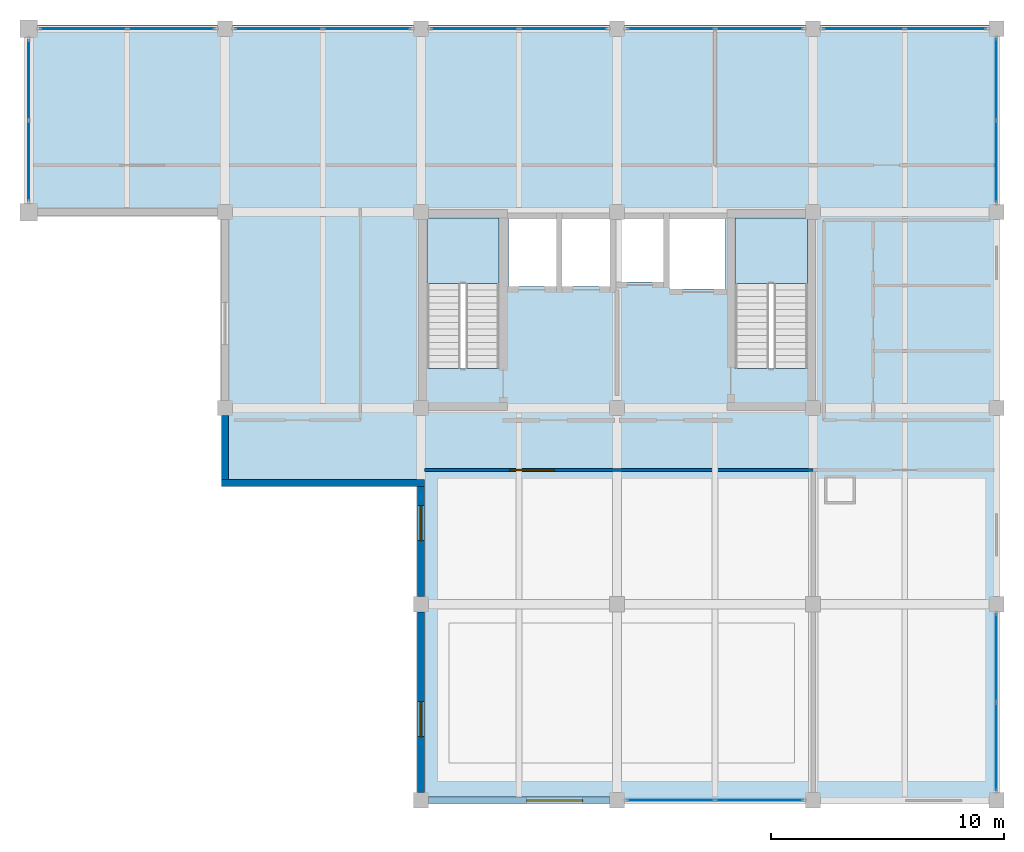
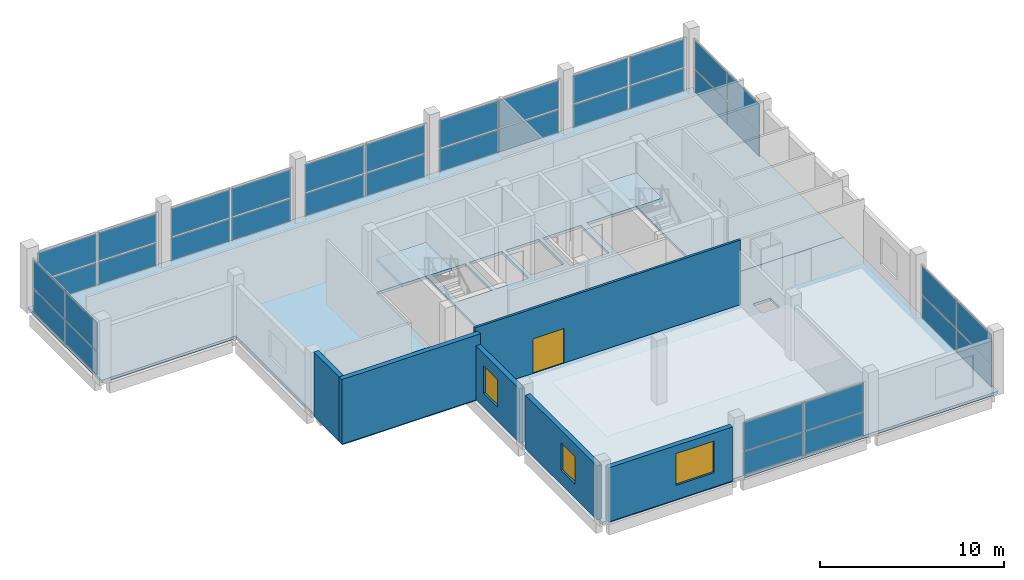
# One storey, part 6 of 9: 36 plates, 6 walls, 4 slabs, 3 windows, 1 door, 4 openings, 11 elements without a shape of their own.
"""IFC4 building model written with IfcOpenShell, lengths in metres."""

from ifc_helpers import new_model, si_unit, direction, frame, frame_2d, origin, origin_2d, place, context, subcontext, project, spatial, polyline, rectangle, outline, extrude, material, layer, layer_set, type_object, element, fill, aggregate, save


model = new_model("IFC4")

# Units and contexts
model_context = context("Model", 3, precision=1e-05, world=origin(), true_north=direction((0.0, 1.0)))
body_context = subcontext(model_context, "Body", "Model", "MODEL_VIEW")
ifc_project = project(units=[si_unit("LENGTHUNIT", "METRE"), si_unit("AREAUNIT", "SQUARE_METRE"), si_unit("VOLUMEUNIT", "CUBIC_METRE"), si_unit("PLANEANGLEUNIT", "RADIAN"), si_unit("MASSUNIT", "GRAM", prefix="KILO")], contexts=[model_context])

# Site, building, storey
site_placement = place(None, origin())
site = spatial("IfcSite", under=ifc_project, at=site_placement, CompositionType="ELEMENT")
building_placement = place(site_placement, origin())
building = spatial("IfcBuilding", under=site, at=building_placement, Name="Brinegate Botanical Conservatory", CompositionType="ELEMENT")
storey_placement = place(building_placement, frame((0.0, 0.0, 61.199951171875)))
storey = spatial("IfcBuildingStorey", under=building, at=storey_placement, Name="L15", CompositionType="ELEMENT", Elevation=61.199951171875)

# Curtain wall, plates
ifc_material_1 = material(Name="Thermally broken anodised aluminium AW-6063-T6", Category="aluminium")
curtain_wall_type_1 = type_object("IfcCurtainWallType", Name="CW_CW-TW2", PredefinedType="USERDEFINED", material=ifc_material_1)
curtain_wall_1_placement = place(storey_placement, origin())
curtain_wall_1 = element("IfcCurtainWall", 1, at=curtain_wall_1_placement, inside=storey, type_object=curtain_wall_type_1, Name="Sky gallery north curtain wall 1", ObjectType="FACTORY CURTAIN WALL", PredefinedType="USERDEFINED")
ifc_material_2 = material(Name="Double-silver Low-E laminated safety glass", Category="glass")
ifc_layer_1 = layer(ifc_material_2, 0.035888671875, Name="Double-silver Low-E laminated safety glass", Category="glass")
ifc_layer_set_1 = layer_set([ifc_layer_1], Name="Double-silver Low-E laminated safety glass")
plate_type = type_object("IfcPlateType", Name="Plate_PN-36", PredefinedType="CURTAIN_PANEL", material=ifc_layer_set_1)
plate_1_placement = place(storey_placement, frame((124.3388671875, 111.449951171875, 0.074951171875), z_axis=(0.0, 0.0, 1.0), x_axis=(1.0, 0.0, 0.0)))
plate_1 = element("IfcPlate", 2, at=plate_1_placement, type_object=plate_type, Name="CW-TW2 panel 1.1", PredefinedType="CURTAIN_PANEL", context=body_context, shape_type="SweptSolid", body=[
    extrude(rectangle(XDim=3.697509765625, YDim=0.035888671875, at=origin_2d()), origin(), (0.0, 0.0, 1.0), 1.49853515625),
])
plate_2_placement = place(storey_placement, frame((124.3388671875, 111.449951171875, 1.648681640625), z_axis=(0.0, 0.0, 1.0), x_axis=(1.0, 0.0, 0.0)))
plate_2 = element("IfcPlate", 3, at=plate_2_placement, type_object=plate_type, Name="CW-TW2 panel 1.2", PredefinedType="CURTAIN_PANEL", context=body_context, shape_type="SweptSolid", body=[
    extrude(rectangle(XDim=3.697509765625, YDim=0.035888671875, at=origin_2d()), origin(), (0.0, 0.0, 1.0), 1.8564453125),
])
plate_3_placement = place(storey_placement, frame((128.111328125, 111.449951171875, 0.074951171875), z_axis=(0.0, 0.0, 1.0), x_axis=(1.0, 0.0, 0.0)))
plate_3 = element("IfcPlate", 4, at=plate_3_placement, type_object=plate_type, Name="CW-TW2 panel 2.1", PredefinedType="CURTAIN_PANEL", context=body_context, shape_type="SweptSolid", body=[
    extrude(rectangle(XDim=3.697509765625, YDim=0.035888671875, at=origin_2d()), origin(), (0.0, 0.0, 1.0), 1.49853515625),
])
plate_4_placement = place(storey_placement, frame((128.111328125, 111.449951171875, 1.648681640625), z_axis=(0.0, 0.0, 1.0), x_axis=(1.0, 0.0, 0.0)))
plate_4 = element("IfcPlate", 5, at=plate_4_placement, type_object=plate_type, Name="CW-TW2 panel 2.2", PredefinedType="CURTAIN_PANEL", context=body_context, shape_type="SweptSolid", body=[
    extrude(rectangle(XDim=3.697509765625, YDim=0.035888671875, at=origin_2d()), origin(), (0.0, 0.0, 1.0), 1.8564453125),
])
aggregate(curtain_wall_1, [plate_1, plate_2, plate_3, plate_4])

curtain_wall_2_placement = place(storey_placement, origin())
curtain_wall_2 = element("IfcCurtainWall", 6, at=curtain_wall_2_placement, inside=storey, type_object=curtain_wall_type_1, Name="Sky gallery north curtain wall 2", ObjectType="FACTORY CURTAIN WALL", PredefinedType="USERDEFINED")
plate_5_placement = place(storey_placement, frame((132.701171875, 111.449951171875, 0.074951171875), z_axis=(0.0, 0.0, 1.0), x_axis=(1.0, 0.0, 0.0)))
plate_5 = element("IfcPlate", 7, at=plate_5_placement, type_object=plate_type, Name="CW-TW2 panel 1.1", PredefinedType="CURTAIN_PANEL", context=body_context, shape_type="SweptSolid", body=[
    extrude(rectangle(XDim=3.722412109375, YDim=0.035888671875, at=origin_2d()), origin(), (0.0, 0.0, 1.0), 1.49853515625),
])
plate_6_placement = place(storey_placement, frame((132.701171875, 111.449951171875, 1.648681640625), z_axis=(0.0, 0.0, 1.0), x_axis=(1.0, 0.0, 0.0)))
plate_6 = element("IfcPlate", 8, at=plate_6_placement, type_object=plate_type, Name="CW-TW2 panel 1.2", PredefinedType="CURTAIN_PANEL", context=body_context, shape_type="SweptSolid", body=[
    extrude(rectangle(XDim=3.722412109375, YDim=0.035888671875, at=origin_2d()), origin(), (0.0, 0.0, 1.0), 1.8564453125),
])
plate_7_placement = place(storey_placement, frame((136.498779296875, 111.449951171875, 0.074951171875), z_axis=(0.0, 0.0, 1.0), x_axis=(1.0, 0.0, 0.0)))
plate_7 = element("IfcPlate", 9, at=plate_7_placement, type_object=plate_type, Name="CW-TW2 panel 2.1", PredefinedType="CURTAIN_PANEL", context=body_context, shape_type="SweptSolid", body=[
    extrude(rectangle(XDim=3.722412109375, YDim=0.035888671875, at=origin_2d()), origin(), (0.0, 0.0, 1.0), 1.49853515625),
])
plate_8_placement = place(storey_placement, frame((136.498779296875, 111.449951171875, 1.648681640625), z_axis=(0.0, 0.0, 1.0), x_axis=(1.0, 0.0, 0.0)))
plate_8 = element("IfcPlate", 10, at=plate_8_placement, type_object=plate_type, Name="CW-TW2 panel 2.2", PredefinedType="CURTAIN_PANEL", context=body_context, shape_type="SweptSolid", body=[
    extrude(rectangle(XDim=3.722412109375, YDim=0.035888671875, at=origin_2d()), origin(), (0.0, 0.0, 1.0), 1.8564453125),
])
aggregate(curtain_wall_2, [plate_5, plate_6, plate_7, plate_8])

curtain_wall_3_placement = place(storey_placement, origin())
curtain_wall_3 = element("IfcCurtainWall", 11, at=curtain_wall_3_placement, inside=storey, type_object=curtain_wall_type_1, Name="Sky gallery north curtain wall 3", ObjectType="FACTORY CURTAIN WALL", PredefinedType="USERDEFINED")
plate_9_placement = place(storey_placement, frame((141.101318359375, 111.449951171875, 0.074951171875), z_axis=(0.0, 0.0, 1.0), x_axis=(1.0, 0.0, 0.0)))
plate_9 = element("IfcPlate", 12, at=plate_9_placement, type_object=plate_type, Name="CW-TW2 panel 1.1", PredefinedType="CURTAIN_PANEL", context=body_context, shape_type="SweptSolid", body=[
    extrude(rectangle(XDim=3.722412109375, YDim=0.035888671875, at=origin_2d()), origin(), (0.0, 0.0, 1.0), 1.49853515625),
])
plate_10_placement = place(storey_placement, frame((141.101318359375, 111.449951171875, 1.648681640625), z_axis=(0.0, 0.0, 1.0), x_axis=(1.0, 0.0, 0.0)))
plate_10 = element("IfcPlate", 13, at=plate_10_placement, type_object=plate_type, Name="CW-TW2 panel 1.2", PredefinedType="CURTAIN_PANEL", context=body_context, shape_type="SweptSolid", body=[
    extrude(rectangle(XDim=3.722412109375, YDim=0.035888671875, at=origin_2d()), origin(), (0.0, 0.0, 1.0), 1.8564453125),
])
plate_11_placement = place(storey_placement, frame((144.898681640625, 111.449951171875, 0.074951171875), z_axis=(0.0, 0.0, 1.0), x_axis=(1.0, 0.0, 0.0)))
plate_11 = element("IfcPlate", 14, at=plate_11_placement, type_object=plate_type, Name="CW-TW2 panel 2.1", PredefinedType="CURTAIN_PANEL", context=body_context, shape_type="SweptSolid", body=[
    extrude(rectangle(XDim=3.722412109375, YDim=0.035888671875, at=origin_2d()), origin(), (0.0, 0.0, 1.0), 1.49853515625),
])
plate_12_placement = place(storey_placement, frame((144.898681640625, 111.449951171875, 1.648681640625), z_axis=(0.0, 0.0, 1.0), x_axis=(1.0, 0.0, 0.0)))
plate_12 = element("IfcPlate", 15, at=plate_12_placement, type_object=plate_type, Name="CW-TW2 panel 2.2", PredefinedType="CURTAIN_PANEL", context=body_context, shape_type="SweptSolid", body=[
    extrude(rectangle(XDim=3.722412109375, YDim=0.035888671875, at=origin_2d()), origin(), (0.0, 0.0, 1.0), 1.8564453125),
])
aggregate(curtain_wall_3, [plate_9, plate_10, plate_11, plate_12])

curtain_wall_4_placement = place(storey_placement, origin())
curtain_wall_4 = element("IfcCurtainWall", 16, at=curtain_wall_4_placement, inside=storey, type_object=curtain_wall_type_1, Name="Sky gallery north curtain wall 4", ObjectType="FACTORY CURTAIN WALL", PredefinedType="USERDEFINED")
plate_13_placement = place(storey_placement, frame((149.501220703125, 111.449951171875, 0.074951171875), z_axis=(0.0, 0.0, 1.0), x_axis=(1.0, 0.0, 0.0)))
plate_13 = element("IfcPlate", 17, at=plate_13_placement, type_object=plate_type, Name="CW-TW2 panel 1.1", PredefinedType="CURTAIN_PANEL", context=body_context, shape_type="SweptSolid", body=[
    extrude(rectangle(XDim=3.722412109375, YDim=0.035888671875, at=origin_2d()), origin(), (0.0, 0.0, 1.0), 1.49853515625),
])
plate_14_placement = place(storey_placement, frame((149.501220703125, 111.449951171875, 1.648681640625), z_axis=(0.0, 0.0, 1.0), x_axis=(1.0, 0.0, 0.0)))
plate_14 = element("IfcPlate", 18, at=plate_14_placement, type_object=plate_type, Name="CW-TW2 panel 1.2", PredefinedType="CURTAIN_PANEL", context=body_context, shape_type="SweptSolid", body=[
    extrude(rectangle(XDim=3.722412109375, YDim=0.035888671875, at=origin_2d()), origin(), (0.0, 0.0, 1.0), 1.8564453125),
])
plate_15_placement = place(storey_placement, frame((153.298828125, 111.449951171875, 0.074951171875), z_axis=(0.0, 0.0, 1.0), x_axis=(1.0, 0.0, 0.0)))
plate_15 = element("IfcPlate", 19, at=plate_15_placement, type_object=plate_type, Name="CW-TW2 panel 2.1", PredefinedType="CURTAIN_PANEL", context=body_context, shape_type="SweptSolid", body=[
    extrude(rectangle(XDim=3.722412109375, YDim=0.035888671875, at=origin_2d()), origin(), (0.0, 0.0, 1.0), 1.49853515625),
])
plate_16_placement = place(storey_placement, frame((153.298828125, 111.449951171875, 1.648681640625), z_axis=(0.0, 0.0, 1.0), x_axis=(1.0, 0.0, 0.0)))
plate_16 = element("IfcPlate", 20, at=plate_16_placement, type_object=plate_type, Name="CW-TW2 panel 2.2", PredefinedType="CURTAIN_PANEL", context=body_context, shape_type="SweptSolid", body=[
    extrude(rectangle(XDim=3.722412109375, YDim=0.035888671875, at=origin_2d()), origin(), (0.0, 0.0, 1.0), 1.8564453125),
])
aggregate(curtain_wall_4, [plate_13, plate_14, plate_15, plate_16])

curtain_wall_5_placement = place(storey_placement, origin())
curtain_wall_5 = element("IfcCurtainWall", 21, at=curtain_wall_5_placement, inside=storey, type_object=curtain_wall_type_1, Name="Sky gallery north curtain wall 5", ObjectType="FACTORY CURTAIN WALL", PredefinedType="USERDEFINED")
plate_17_placement = place(storey_placement, frame((157.763671875, 111.449951171875, 0.074951171875), z_axis=(0.0, 0.0, 1.0), x_axis=(1.0, 0.0, 0.0)))
plate_17 = element("IfcPlate", 22, at=plate_17_placement, type_object=plate_type, Name="CW-TW2 panel 1.1", PredefinedType="CURTAIN_PANEL", context=body_context, shape_type="SweptSolid", body=[
    extrude(rectangle(XDim=3.447509765625, YDim=0.035888671875, at=origin_2d()), origin(), (0.0, 0.0, 1.0), 1.49853515625),
])
plate_18_placement = place(storey_placement, frame((157.763671875, 111.449951171875, 1.648681640625), z_axis=(0.0, 0.0, 1.0), x_axis=(1.0, 0.0, 0.0)))
plate_18 = element("IfcPlate", 23, at=plate_18_placement, type_object=plate_type, Name="CW-TW2 panel 1.2", PredefinedType="CURTAIN_PANEL", context=body_context, shape_type="SweptSolid", body=[
    extrude(rectangle(XDim=3.447509765625, YDim=0.035888671875, at=origin_2d()), origin(), (0.0, 0.0, 1.0), 1.8564453125),
])
plate_19_placement = place(storey_placement, frame((161.2861328125, 111.449951171875, 0.074951171875), z_axis=(0.0, 0.0, 1.0), x_axis=(1.0, 0.0, 0.0)))
plate_19 = element("IfcPlate", 24, at=plate_19_placement, type_object=plate_type, Name="CW-TW2 panel 2.1", PredefinedType="CURTAIN_PANEL", context=body_context, shape_type="SweptSolid", body=[
    extrude(rectangle(XDim=3.447509765625, YDim=0.035888671875, at=origin_2d()), origin(), (0.0, 0.0, 1.0), 1.49853515625),
])
plate_20_placement = place(storey_placement, frame((161.2861328125, 111.449951171875, 1.648681640625), z_axis=(0.0, 0.0, 1.0), x_axis=(1.0, 0.0, 0.0)))
plate_20 = element("IfcPlate", 25, at=plate_20_placement, type_object=plate_type, Name="CW-TW2 panel 2.2", PredefinedType="CURTAIN_PANEL", context=body_context, shape_type="SweptSolid", body=[
    extrude(rectangle(XDim=3.447509765625, YDim=0.035888671875, at=origin_2d()), origin(), (0.0, 0.0, 1.0), 1.8564453125),
])
aggregate(curtain_wall_5, [plate_17, plate_18, plate_19, plate_20])

curtain_wall_6_placement = place(storey_placement, origin())
curtain_wall_6 = element("IfcCurtainWall", 26, at=curtain_wall_6_placement, inside=storey, type_object=curtain_wall_type_1, Name="Tower south curtain wall L15.2", ObjectType="FACTORY CURTAIN WALL", PredefinedType="USERDEFINED")
plate_21_placement = place(storey_placement, frame((153.300048828125, 78.39990234375, 0.06982421875), z_axis=(0.0, 0.0, 1.0), x_axis=(-1.0, 0.0, 0.0)))
plate_21 = element("IfcPlate", 27, at=plate_21_placement, type_object=plate_type, Name="CW-TW2 panel 1.1", PredefinedType="CURTAIN_PANEL", context=body_context, shape_type="SweptSolid", body=[
    extrude(rectangle(XDim=3.72998046875, YDim=0.035888671875, at=origin_2d()), origin(), (0.0, 0.0, 1.0), 1.506103515625),
])
plate_22_placement = place(storey_placement, frame((153.300048828125, 78.39990234375, 1.64599609375), z_axis=(0.0, 0.0, 1.0), x_axis=(-1.0, 0.0, 0.0)))
plate_22 = element("IfcPlate", 28, at=plate_22_placement, type_object=plate_type, Name="CW-TW2 panel 1.2", PredefinedType="CURTAIN_PANEL", context=body_context, shape_type="SweptSolid", body=[
    extrude(rectangle(XDim=3.72998046875, YDim=0.035888671875, at=origin_2d()), origin(), (0.0, 0.0, 1.0), 1.864013671875),
])
plate_23_placement = place(storey_placement, frame((149.5, 78.39990234375, 0.06982421875), z_axis=(0.0, 0.0, 1.0), x_axis=(-1.0, 0.0, 0.0)))
plate_23 = element("IfcPlate", 29, at=plate_23_placement, type_object=plate_type, Name="CW-TW2 panel 2.1", PredefinedType="CURTAIN_PANEL", context=body_context, shape_type="SweptSolid", body=[
    extrude(rectangle(XDim=3.72998046875, YDim=0.035888671875, at=origin_2d()), origin(), (0.0, 0.0, 1.0), 1.506103515625),
])
plate_24_placement = place(storey_placement, frame((149.5, 78.39990234375, 1.64599609375), z_axis=(0.0, 0.0, 1.0), x_axis=(-1.0, 0.0, 0.0)))
plate_24 = element("IfcPlate", 30, at=plate_24_placement, type_object=plate_type, Name="CW-TW2 panel 2.2", PredefinedType="CURTAIN_PANEL", context=body_context, shape_type="SweptSolid", body=[
    extrude(rectangle(XDim=3.72998046875, YDim=0.035888671875, at=origin_2d()), origin(), (0.0, 0.0, 1.0), 1.864013671875),
])
aggregate(curtain_wall_6, [plate_21, plate_22, plate_23, plate_24])

curtain_wall_7_placement = place(storey_placement, origin())
curtain_wall_7 = element("IfcCurtainWall", 31, at=curtain_wall_7_placement, inside=storey, type_object=curtain_wall_type_1, Name="Tower east curtain wall L15.1", ObjectType="FACTORY CURTAIN WALL", PredefinedType="USERDEFINED")
plate_25_placement = place(storey_placement, frame((163.449951171875, 84.5, 0.06982421875), z_axis=(0.0, 0.0, 1.0), x_axis=(0.0, -1.0, 0.0)))
plate_25 = element("IfcPlate", 32, at=plate_25_placement, type_object=plate_type, Name="CW-TW2 panel 1.1", PredefinedType="CURTAIN_PANEL", context=body_context, shape_type="SweptSolid", body=[
    extrude(rectangle(XDim=3.72998046875, YDim=0.035888671875, at=origin_2d()), origin(), (0.0, 0.0, 1.0), 1.506103515625),
])
plate_26_placement = place(storey_placement, frame((163.449951171875, 84.5, 1.64599609375), z_axis=(0.0, 0.0, 1.0), x_axis=(0.0, -1.0, 0.0)))
plate_26 = element("IfcPlate", 33, at=plate_26_placement, type_object=plate_type, Name="CW-TW2 panel 1.2", PredefinedType="CURTAIN_PANEL", context=body_context, shape_type="SweptSolid", body=[
    extrude(rectangle(XDim=3.72998046875, YDim=0.035888671875, at=origin_2d()), origin(), (0.0, 0.0, 1.0), 1.864013671875),
])
plate_27_placement = place(storey_placement, frame((163.449951171875, 80.699951171875, 0.06982421875), z_axis=(0.0, 0.0, 1.0), x_axis=(0.0, -1.0, 0.0)))
plate_27 = element("IfcPlate", 34, at=plate_27_placement, type_object=plate_type, Name="CW-TW2 panel 2.1", PredefinedType="CURTAIN_PANEL", context=body_context, shape_type="SweptSolid", body=[
    extrude(rectangle(XDim=3.72998046875, YDim=0.035888671875, at=origin_2d()), origin(), (0.0, 0.0, 1.0), 1.506103515625),
])
plate_28_placement = place(storey_placement, frame((163.449951171875, 80.699951171875, 1.64599609375), z_axis=(0.0, 0.0, 1.0), x_axis=(0.0, -1.0, 0.0)))
plate_28 = element("IfcPlate", 35, at=plate_28_placement, type_object=plate_type, Name="CW-TW2 panel 2.2", PredefinedType="CURTAIN_PANEL", context=body_context, shape_type="SweptSolid", body=[
    extrude(rectangle(XDim=3.72998046875, YDim=0.035888671875, at=origin_2d()), origin(), (0.0, 0.0, 1.0), 1.864013671875),
])
aggregate(curtain_wall_7, [plate_25, plate_26, plate_27, plate_28])

curtain_wall_8_placement = place(storey_placement, origin())
curtain_wall_8 = element("IfcCurtainWall", 36, at=curtain_wall_8_placement, inside=storey, type_object=curtain_wall_type_1, Name="Tower east curtain wall L15.4", ObjectType="FACTORY CURTAIN WALL", PredefinedType="USERDEFINED")
plate_29_placement = place(storey_placement, frame((163.449951171875, 109.28759765625, 0.06982421875), z_axis=(0.0, 0.0, 1.0), x_axis=(0.0, -1.0, 0.0)))
plate_29 = element("IfcPlate", 37, at=plate_29_placement, type_object=plate_type, Name="CW-TW2 panel 1.1", PredefinedType="CURTAIN_PANEL", context=body_context, shape_type="SweptSolid", body=[
    extrude(rectangle(XDim=3.455078125, YDim=0.035888671875, at=origin_2d()), origin(), (0.0, 0.0, 1.0), 1.506103515625),
])
plate_30_placement = place(storey_placement, frame((163.449951171875, 109.28759765625, 1.64599609375), z_axis=(0.0, 0.0, 1.0), x_axis=(0.0, -1.0, 0.0)))
plate_30 = element("IfcPlate", 38, at=plate_30_placement, type_object=plate_type, Name="CW-TW2 panel 1.2", PredefinedType="CURTAIN_PANEL", context=body_context, shape_type="SweptSolid", body=[
    extrude(rectangle(XDim=3.455078125, YDim=0.035888671875, at=origin_2d()), origin(), (0.0, 0.0, 1.0), 1.864013671875),
])
plate_31_placement = place(storey_placement, frame((163.449951171875, 105.762451171875, 0.06982421875), z_axis=(0.0, 0.0, 1.0), x_axis=(0.0, -1.0, 0.0)))
plate_31 = element("IfcPlate", 39, at=plate_31_placement, type_object=plate_type, Name="CW-TW2 panel 2.1", PredefinedType="CURTAIN_PANEL", context=body_context, shape_type="SweptSolid", body=[
    extrude(rectangle(XDim=3.455078125, YDim=0.035888671875, at=origin_2d()), origin(), (0.0, 0.0, 1.0), 1.506103515625),
])
plate_32_placement = place(storey_placement, frame((163.449951171875, 105.762451171875, 1.64599609375), z_axis=(0.0, 0.0, 1.0), x_axis=(0.0, -1.0, 0.0)))
plate_32 = element("IfcPlate", 40, at=plate_32_placement, type_object=plate_type, Name="CW-TW2 panel 2.2", PredefinedType="CURTAIN_PANEL", context=body_context, shape_type="SweptSolid", body=[
    extrude(rectangle(XDim=3.455078125, YDim=0.035888671875, at=origin_2d()), origin(), (0.0, 0.0, 1.0), 1.864013671875),
])
aggregate(curtain_wall_8, [plate_29, plate_30, plate_31, plate_32])

curtain_wall_type_2 = type_object("IfcCurtainWallType", Name="CW_CW-TW1", PredefinedType="USERDEFINED", material=ifc_material_1)
curtain_wall_9_placement = place(storey_placement, origin())
curtain_wall_9 = element("IfcCurtainWall", 41, at=curtain_wall_9_placement, inside=storey, type_object=curtain_wall_type_2, Name="Tower north-west curtain wall L15", ObjectType="FACTORY CURTAIN WALL", PredefinedType="USERDEFINED")
plate_33_placement = place(storey_placement, frame((122.0, 105.78759765625, 0.06982421875), z_axis=(0.0, 0.0, 1.0), x_axis=(0.0, 1.0, 0.0)))
plate_33 = element("IfcPlate", 42, at=plate_33_placement, type_object=plate_type, Name="CW-TW1 panel 1.1", PredefinedType="CURTAIN_PANEL", context=body_context, shape_type="SweptSolid", body=[
    extrude(rectangle(XDim=3.405029296875, YDim=0.035888671875, at=origin_2d()), origin(), (0.0, 0.0, 1.0), 1.506103515625),
])
plate_34_placement = place(storey_placement, frame((122.0, 105.78759765625, 1.64599609375), z_axis=(0.0, 0.0, 1.0), x_axis=(0.0, 1.0, 0.0)))
plate_34 = element("IfcPlate", 43, at=plate_34_placement, type_object=plate_type, Name="CW-TW1 panel 1.2", PredefinedType="CURTAIN_PANEL", context=body_context, shape_type="SweptSolid", body=[
    extrude(rectangle(XDim=3.405029296875, YDim=0.035888671875, at=origin_2d()), origin(), (0.0, 0.0, 1.0), 1.864013671875),
])
plate_35_placement = place(storey_placement, frame((122.0, 109.262451171875, 0.06982421875), z_axis=(0.0, 0.0, 1.0), x_axis=(0.0, 1.0, 0.0)))
plate_35 = element("IfcPlate", 44, at=plate_35_placement, type_object=plate_type, Name="CW-TW1 panel 2.1", PredefinedType="CURTAIN_PANEL", context=body_context, shape_type="SweptSolid", body=[
    extrude(rectangle(XDim=3.405029296875, YDim=0.035888671875, at=origin_2d()), origin(), (0.0, 0.0, 1.0), 1.506103515625),
])
plate_36_placement = place(storey_placement, frame((122.0, 109.262451171875, 1.64599609375), z_axis=(0.0, 0.0, 1.0), x_axis=(0.0, 1.0, 0.0)))
plate_36 = element("IfcPlate", 45, at=plate_36_placement, type_object=plate_type, Name="CW-TW1 panel 2.2", PredefinedType="CURTAIN_PANEL", context=body_context, shape_type="SweptSolid", body=[
    extrude(rectangle(XDim=3.405029296875, YDim=0.035888671875, at=origin_2d()), origin(), (0.0, 0.0, 1.0), 1.864013671875),
])
aggregate(curtain_wall_9, [plate_33, plate_34, plate_35, plate_36])

# Slabs
ifc_material_3 = material(Name="Concrete C40/50", Category="concrete")
ifc_layer_2 = layer(ifc_material_3, 0.179931640625, Name="Concrete C40/50", Category="concrete")
ifc_layer_set_2 = layer_set([ifc_layer_2], Name="Concrete C40/50")
slab_type_1 = type_object("IfcSlabType", Name="Slab_SL-FL180", PredefinedType="FLOOR", material=ifc_layer_set_2)
slab_1_placement = place(storey_placement, frame((0.0, 0.0, -0.179931640625)))
element("IfcSlab", 46, at=slab_1_placement, inside=storey, type_object=slab_type_1, Name="Research Tower L15 north structural floor slab", PredefinedType="FLOOR", context=body_context, shape_type="SweptSolid", body=[
    extrude(outline(polyline([(130.39990234375, 103.60009765625), (122.0, 103.60009765625), (122.0, 111.60009765625), (163.60009765625, 111.60009765625), (163.60009765625, 95.199951171875), (130.39990234375, 95.199951171875), (130.39990234375, 103.60009765625)]), holes=[polyline([(142.14990234375, 96.89990234375), (142.14990234375, 103.35009765625), (139.050048828125, 103.35009765625), (139.050048828125, 96.89990234375), (142.14990234375, 96.89990234375)]), polyline([(155.35009765625, 96.89990234375), (155.35009765625, 103.35009765625), (152.25, 103.35009765625), (152.25, 96.89990234375), (155.35009765625, 96.89990234375)]), polyline([(142.550048828125, 100.39990234375), (144.60009765625, 100.39990234375), (144.60009765625, 103.300048828125), (142.550048828125, 103.300048828125), (142.550048828125, 100.39990234375)]), polyline([(144.85009765625, 100.39990234375), (146.89990234375, 100.39990234375), (146.89990234375, 103.300048828125), (144.85009765625, 103.300048828125), (144.85009765625, 100.39990234375)]), polyline([(147.14990234375, 100.60009765625), (149.199951171875, 100.60009765625), (149.199951171875, 103.300048828125), (147.14990234375, 103.300048828125), (147.14990234375, 100.60009765625)]), polyline([(149.449951171875, 100.300048828125), (151.85009765625, 100.300048828125), (151.85009765625, 103.300048828125), (149.449951171875, 103.300048828125), (149.449951171875, 100.300048828125)])]), origin(), (0.0, 0.0, 1.0), 0.179931640625),
])
slab_2_placement = place(storey_placement, frame((0.0, 0.0, -0.179931640625)))
element("IfcSlab", 47, at=slab_2_placement, inside=storey, type_object=slab_type_1, Name="Research Tower L15 south structural floor slab", PredefinedType="FLOOR", context=body_context, shape_type="SweptSolid", body=[
    extrude(outline(polyline([(163.60009765625, 78.39990234375), (138.800048828125, 78.39990234375), (138.800048828125, 92.0), (130.39990234375, 92.0), (130.39990234375, 95.199951171875), (163.60009765625, 95.199951171875), (163.60009765625, 78.39990234375)]), holes=[polyline([(156.199951171875, 91.199951171875), (157.300048828125, 91.199951171875), (157.300048828125, 92.199951171875), (156.199951171875, 92.199951171875), (156.199951171875, 91.199951171875)])]), origin(), (0.0, 0.0, 1.0), 0.179931640625),
])

# Stair, slab
stair_type = type_object("IfcStairType", Name="Stair_HT-4500", PredefinedType="HALF_TURN_STAIR", material=ifc_material_3)
stair_1_placement = place(storey_placement, origin())
stair_1 = element("IfcStair", 48, at=stair_1_placement, inside=storey, type_object=stair_type, Name="L15 Tower West Smoke-Proof Stair ST1", PredefinedType="HALF_TURN_STAIR")
ifc_layer_3 = layer(ifc_material_3, 0.199951171875, Name="Concrete C40/50", Category="concrete")
ifc_layer_set_3 = layer_set([ifc_layer_3], Name="Concrete C40/50")
slab_type_2 = type_object("IfcSlabType", Name="Slab_SL-LD200", PredefinedType="LANDING", material=ifc_layer_set_3)
slab_3_placement = place(storey_placement, frame((0.0, 0.0, 2.050048828125)))
slab_3 = element("IfcSlab", 49, at=slab_3_placement, type_object=slab_type_2, Name="ST1 landing 1", PredefinedType="LANDING", context=body_context, shape_type="SweptSolid", body=[
    extrude(outline(polyline([(142.14990234375, 100.5400390625), (142.14990234375, 103.35009765625), (139.050048828125, 103.35009765625), (139.050048828125, 100.5400390625), (142.14990234375, 100.5400390625)])), origin(), (0.0, 0.0, 1.0), 0.199951171875),
])
aggregate(stair_1, [slab_3])

stair_2_placement = place(storey_placement, origin())
stair_2 = element("IfcStair", 50, at=stair_2_placement, inside=storey, type_object=stair_type, Name="L15 Tower East Smoke-Proof Stair ST2", PredefinedType="HALF_TURN_STAIR")
slab_4_placement = place(storey_placement, frame((0.0, 0.0, 2.050048828125)))
slab_4 = element("IfcSlab", 51, at=slab_4_placement, type_object=slab_type_2, Name="ST2 landing 1", PredefinedType="LANDING", context=body_context, shape_type="SweptSolid", body=[
    extrude(outline(polyline([(155.35009765625, 100.5400390625), (155.35009765625, 103.35009765625), (152.25, 103.35009765625), (152.25, 100.5400390625), (155.35009765625, 100.5400390625)])), origin(), (0.0, 0.0, 1.0), 0.199951171875),
])
aggregate(stair_2, [slab_4])

# Wall, opening, window
ifc_material_4 = material(Name="Insulated Minnan red clay brick masonry", Category="masonry")
ifc_layer_4 = layer(ifc_material_4, 0.300048828125, Name="Insulated Minnan red clay brick masonry", Category="masonry")
ifc_layer_set_4 = layer_set([ifc_layer_4], Name="Insulated Minnan red clay brick masonry")
wall_type_1 = type_object("IfcWallType", Name="Wall_EW-300B", PredefinedType="STANDARD", material=ifc_layer_set_4)
wall_1_placement = place(storey_placement, frame((146.875, 78.39990234375, 0.0), z_axis=(0.0, 0.0, 1.0), x_axis=(-1.0, 0.0, 0.0)))
wall_1 = element("IfcWall", 52, at=wall_1_placement, inside=storey, type_object=wall_type_1, Name="Tower south facade wall L15.1", PredefinedType="STANDARD", context=body_context, shape_type="SweptSolid", body=[
    extrude(rectangle(XDim=7.75, YDim=0.300048828125, at=frame_2d((3.875, 0.0))), origin(), (0.0, 0.0, 1.0), 3.580078125),
])
opening_1_placement = place(wall_1_placement, frame((1.14990234375, 0.0, 0.949951171875)))
opening_1 = element("IfcOpeningElement", 53, at=opening_1_placement, cuts=wall_1, Name="Opening WN-03", PredefinedType="OPENING", context=body_context, shape_type="SweptSolid", body=[
    extrude(rectangle(XDim=2.39990234375, YDim=2.10009765625, at=frame_2d((1.199951171875, 1.050048828125))), frame((0.0, 0.159912109375, 0.0), z_axis=(0.0, -1.0, 0.0), x_axis=(1.0, 0.0, 0.0)), (0.0, 0.0, 1.0), 0.320068359375),
])
ifc_material_5 = material(Name="Thermally broken aluminium-framed Low-E glass", Category="aluminium")
window_type_1 = type_object("IfcWindowType", Name="Win_WN-03", PartitioningType="TRIPLE_PANEL_VERTICAL", PredefinedType="WINDOW", material=ifc_material_5)
window_1_placement = place(opening_1_placement, origin())
window_1 = element("IfcWindow", 54, at=window_1_placement, inside=storey, type_object=window_type_1, Name="Tower south window L15.1", OverallHeight=2.10009765625, OverallWidth=2.39990234375, PartitioningType="TRIPLE_PANEL_VERTICAL", PredefinedType="WINDOW", context=body_context, shape_type="SweptSolid", body=[
    extrude(rectangle(XDim=2.39990234375, YDim=2.10009765625, at=frame_2d((1.199951171875, 1.050048828125))), frame((0.0, 0.030029296875, 0.0), z_axis=(0.0, -1.0, 0.0), x_axis=(1.0, 0.0, 0.0)), (0.0, 0.0, 1.0), 0.06005859375),
])
fill(opening_1, window_1)

# Wall
wall_2_placement = place(storey_placement, frame((130.39990234375, 92.14990234375, 0.0), z_axis=(0.0, 0.0, 1.0), x_axis=(0.0, 1.0, 0.0)))
element("IfcWall", 55, at=wall_2_placement, inside=storey, type_object=wall_type_1, Name="Tower west corridor end wall L15", PredefinedType="STANDARD", context=body_context, shape_type="SweptSolid", body=[
    extrude(rectangle(XDim=2.72509765625, YDim=0.300048828125, at=frame_2d((1.362548828125, 0.0))), origin(), (0.0, 0.0, 1.0), 4.280029296875),
])

# Wall, opening, window
wall_3_placement = place(storey_placement, frame((138.800048828125, 78.72509765625, 0.0), z_axis=(0.0, 0.0, 1.0), x_axis=(0.0, 1.0, 0.0)))
wall_3 = element("IfcWall", 56, at=wall_3_placement, inside=storey, type_object=wall_type_1, Name="Tower west wall L15.S1", PredefinedType="STANDARD", context=body_context, shape_type="SweptSolid", body=[
    extrude(rectangle(XDim=7.75, YDim=0.300048828125, at=frame_2d((3.875, 0.0))), origin(), (0.0, 0.0, 1.0), 3.580078125),
])
opening_2_placement = place(wall_3_placement, frame((2.39990234375, 0.0, 0.949951171875)))
opening_2 = element("IfcOpeningElement", 57, at=opening_2_placement, cuts=wall_3, Name="Opening WN-04", PredefinedType="OPENING", context=body_context, shape_type="SweptSolid", body=[
    extrude(rectangle(XDim=1.5, YDim=1.800048828125, at=frame_2d((0.75, 0.89990234375))), frame((0.0, 0.159912109375, 0.0), z_axis=(0.0, -1.0, 0.0), x_axis=(1.0, 0.0, 0.0)), (0.0, 0.0, 1.0), 0.320068359375),
])
window_type_2 = type_object("IfcWindowType", Name="Win_WN-04", PartitioningType="DOUBLE_PANEL_VERTICAL", PredefinedType="WINDOW", material=ifc_material_5)
window_2_placement = place(opening_2_placement, origin())
window_2 = element("IfcWindow", 58, at=window_2_placement, inside=storey, type_object=window_type_2, Name="Tower west window L15.S1", OverallHeight=1.800048828125, OverallWidth=1.5, PartitioningType="DOUBLE_PANEL_VERTICAL", PredefinedType="WINDOW", context=body_context, shape_type="SweptSolid", body=[
    extrude(rectangle(XDim=1.5, YDim=1.800048828125, at=frame_2d((0.75, 0.89990234375))), frame((0.0, 0.030029296875, 0.0), z_axis=(0.0, -1.0, 0.0), x_axis=(1.0, 0.0, 0.0)), (0.0, 0.0, 1.0), 0.06005859375),
])
fill(opening_2, window_2)

wall_4_placement = place(storey_placement, frame((138.800048828125, 87.125, 0.0), z_axis=(0.0, 0.0, 1.0), x_axis=(0.0, 1.0, 0.0)))
wall_4 = element("IfcWall", 59, at=wall_4_placement, inside=storey, type_object=wall_type_1, Name="Tower west wall L15.S2", PredefinedType="STANDARD", context=body_context, shape_type="SweptSolid", body=[
    extrude(rectangle(XDim=4.72509765625, YDim=0.300048828125, at=frame_2d((2.362548828125, 0.0))), origin(), (0.0, 0.0, 1.0), 3.580078125),
])
opening_3_placement = place(wall_4_placement, frame((2.39990234375, 0.0, 0.949951171875)))
opening_3 = element("IfcOpeningElement", 60, at=opening_3_placement, cuts=wall_4, Name="Opening WN-04", PredefinedType="OPENING", context=body_context, shape_type="SweptSolid", body=[
    extrude(rectangle(XDim=1.5, YDim=1.800048828125, at=frame_2d((0.75, 0.89990234375))), frame((0.0, 0.159912109375, 0.0), z_axis=(0.0, -1.0, 0.0), x_axis=(1.0, 0.0, 0.0)), (0.0, 0.0, 1.0), 0.320068359375),
])
window_3_placement = place(opening_3_placement, origin())
window_3 = element("IfcWindow", 61, at=window_3_placement, inside=storey, type_object=window_type_2, Name="Tower west window L15.S2", OverallHeight=1.800048828125, OverallWidth=1.5, PartitioningType="DOUBLE_PANEL_VERTICAL", PredefinedType="WINDOW", context=body_context, shape_type="SweptSolid", body=[
    extrude(rectangle(XDim=1.5, YDim=1.800048828125, at=frame_2d((0.75, 0.89990234375))), frame((0.0, 0.030029296875, 0.0), z_axis=(0.0, -1.0, 0.0), x_axis=(1.0, 0.0, 0.0)), (0.0, 0.0, 1.0), 0.06005859375),
])
fill(opening_3, window_3)

# Wall
wall_5_placement = place(storey_placement, frame((138.949951171875, 92.0, 0.0), z_axis=(0.0, 0.0, 1.0), x_axis=(-1.0, 0.0, 0.0)))
element("IfcWall", 62, at=wall_5_placement, inside=storey, type_object=wall_type_1, Name="Tower loggia setback return wall L15", PredefinedType="STANDARD", context=body_context, shape_type="SweptSolid", body=[
    extrude(rectangle(XDim=8.699951171875, YDim=0.300048828125, at=frame_2d((4.35009765625, 0.0))), origin(), (0.0, 0.0, 1.0), 4.280029296875),
])

# Wall, opening, door
ifc_material_6 = material(Name="Gypsum-clad acoustic steel-stud partition", Category="steel")
ifc_layer_5 = layer(ifc_material_6, 0.14501953125, Name="Gypsum-clad acoustic steel-stud partition", Category="steel")
ifc_layer_set_5 = layer_set([ifc_layer_5], Name="Gypsum-clad acoustic steel-stud partition")
wall_type_2 = type_object("IfcWallType", Name="Wall_PW-150", PredefinedType="PARTITIONING", material=ifc_layer_set_5)
wall_6_placement = place(storey_placement, frame((138.949951171875, 92.550048828125, 0.0), z_axis=(0.0, 0.0, 1.0), x_axis=(1.0, 0.0, 0.0)))
wall_6 = element("IfcWall", 63, at=wall_6_placement, inside=storey, type_object=wall_type_2, Name="Interior partition P-L15-SB-S1", PredefinedType="PARTITIONING", context=body_context, shape_type="SweptSolid", body=[
    extrude(rectangle(XDim=16.650146484375, YDim=0.14501953125, at=frame_2d((8.3251953125, 0.0))), origin(), (0.0, 0.0, 1.0), 4.280029296875),
])
opening_4_placement = place(wall_6_placement, frame((3.64990234375, 0.0, 0.0)))
opening_4 = element("IfcOpeningElement", 64, at=opening_4_placement, cuts=wall_6, Name="Opening DR-13", PredefinedType="OPENING", context=body_context, shape_type="SweptSolid", body=[
    extrude(rectangle(XDim=1.919921875, YDim=2.280029296875, at=frame_2d((0.9599609375, 1.14013671875))), frame((0.0, 0.08251953125, 0.0), z_axis=(0.0, -1.0, 0.0), x_axis=(1.0, 0.0, 0.0)), (0.0, 0.0, 1.0), 0.1650390625),
])
ifc_material_7 = material(Name="Glazed aluminium exhibition double door", Category="aluminium")
door_type = type_object("IfcDoorType", Name="Door_DR-13", OperationType="NOTDEFINED", PredefinedType="DOOR", material=ifc_material_7)
door_placement = place(opening_4_placement, origin())
door = element("IfcDoor", 65, at=door_placement, inside=storey, type_object=door_type, Name="DR-P-L15-SB-S1-1", OperationType="SINGLE_SWING_RIGHT", OverallHeight=2.280029296875, OverallWidth=1.919921875, PredefinedType="DOOR", context=body_context, shape_type="SweptSolid", body=[
    extrude(rectangle(XDim=1.919921875, YDim=2.280029296875, at=frame_2d((0.9599609375, 1.14013671875))), frame((0.0, 0.02490234375, 0.0), z_axis=(0.0, -1.0, 0.0), x_axis=(1.0, 0.0, 0.0)), (0.0, 0.0, 1.0), 0.050048828125),
])
fill(opening_4, door)

save(model, "model.ifc")
